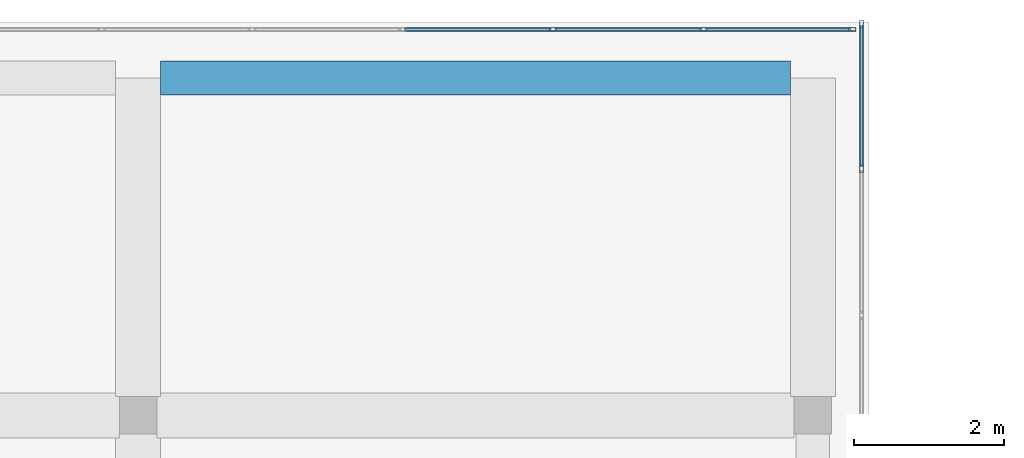
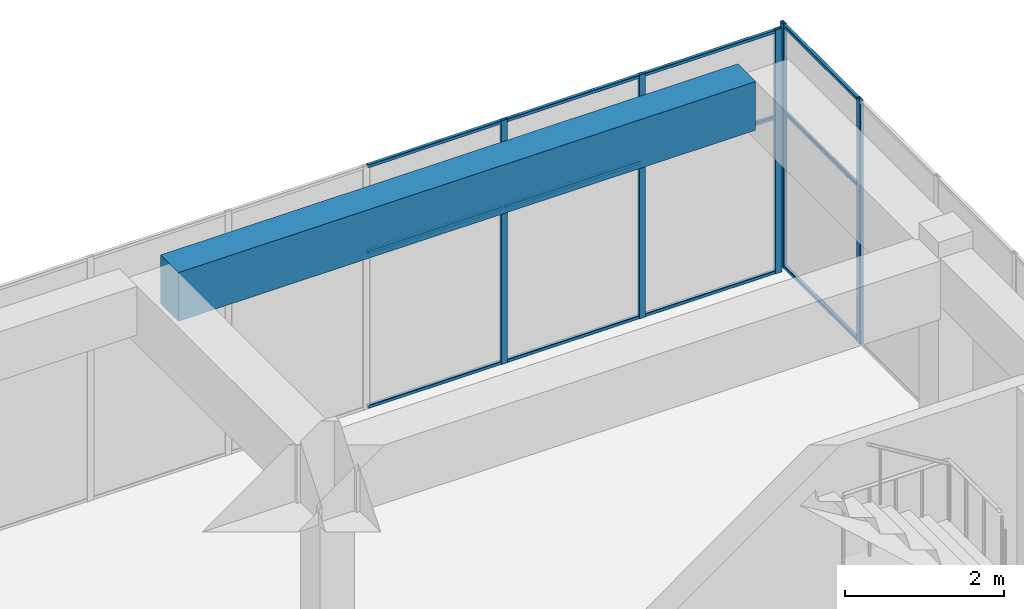
# One storey, part 27 of 34: 17 members, 1 beam, 2 elements without a shape of their own.
"""IFC4 building model written with IfcOpenShell, lengths in metres."""

from ifc_helpers import new_model, si_unit, direction, frame, origin, origin_2d, place, context, subcontext, project, spatial, rectangle, hollow_rectangle, extrude, material, layer, layer_set, material_profile, profile_set, type_object, element, aggregate, save


model = new_model("IFC4")

# Units and contexts
model_context = context("Model", 3, precision=1e-05, world=origin(), true_north=direction((0.0, 1.0)))
body_context = subcontext(model_context, "Body", "Model", "MODEL_VIEW")
ifc_project = project(units=[si_unit("LENGTHUNIT", "METRE"), si_unit("AREAUNIT", "SQUARE_METRE"), si_unit("VOLUMEUNIT", "CUBIC_METRE"), si_unit("PLANEANGLEUNIT", "RADIAN"), si_unit("MASSUNIT", "GRAM", prefix="KILO")], contexts=[model_context])

# Site, building, storey
site_placement = place(None, origin())
site = spatial("IfcSite", under=ifc_project, at=site_placement, CompositionType="ELEMENT")
building_placement = place(site_placement, origin())
building = spatial("IfcBuilding", under=site, at=building_placement, Name="Tuart Plaza Theatre", CompositionType="ELEMENT")
storey_placement = place(building_placement, frame((0.0, 0.0, 53.5)))
storey = spatial("IfcBuildingStorey", under=building, at=storey_placement, Name="L13", CompositionType="ELEMENT", Elevation=53.5)

# Beam
ifc_material_1 = material(Name="Concrete N40 (40 MPa)", Category="concrete")
ifc_material_profile_1 = material_profile(ifc_material_1, rectangle(XDim=0.449951171875, YDim=0.75, at=origin_2d()), Name="BEAM 450x750 Concrete N40 (40 MPa)")
ifc_profile_set_1 = profile_set([ifc_material_profile_1], Name="Concrete N40 (40 MPa)")
beam_type = type_object("IfcBeamType", Name="BEAM 450x750 Concrete N40 (40 MPa)", PredefinedType="BEAM", material=ifc_profile_set_1)
beam_placement = place(storey_placement, frame((132.300048828125, 96.5, 3.375), z_axis=(1.0, 0.0, 0.0), x_axis=(0.0, 1.0, 0.0)))
element("IfcBeam", 1, at=beam_placement, inside=storey, type_object=beam_type, Name="RB338", PredefinedType="BEAM", context=body_context, shape_type="SweptSolid", body=[
    extrude(rectangle(XDim=0.449951171875, YDim=0.75, at=origin_2d()), origin(), (0.0, 0.0, 1.0), 8.39990234375),
])

# Curtain wall, members
ifc_material_2 = material(Name="Aluminium and glass", Category="aluminium")
ifc_layer = layer(ifc_material_2, 0.10009765625)
ifc_layer_set = layer_set([ifc_layer], Name="CURTAIN WALL 2000 module")
curtain_wall_type = type_object("IfcCurtainWallType", Name="CURTAIN WALL 2000 module", PredefinedType="NOTDEFINED", material=ifc_layer_set)
curtain_wall_1_placement = place(storey_placement, origin())
curtain_wall_1 = element("IfcCurtainWall", 2, at=curtain_wall_1_placement, inside=storey, type_object=curtain_wall_type, Name="CW116", PredefinedType="NOTDEFINED")
ifc_material_3 = material(Name="Aluminium 6063-T5", Category="aluminium")
ifc_material_profile_2 = material_profile(ifc_material_3, hollow_rectangle(XDim=0.050048828125, YDim=0.10009765625, WallThickness=0.00390625, InnerFilletRadius=0.00390625, OuterFilletRadius=0.008056640625, at=origin_2d()), Name="RHS 100x50x4")
ifc_profile_set_2 = profile_set([ifc_material_profile_2], Name="Aluminium 6063-T5")
member_type_1 = type_object("IfcMemberType", Name="MULLION RHS 100x50x4", PredefinedType="MULLION", material=ifc_profile_set_2)
member_1_placement = place(storey_placement, frame((141.64990234375, 95.29296875, 0.0), z_axis=(0.0, 0.0, 1.0), x_axis=(-1.0, 0.0, 0.0)))
member_1 = element("IfcMember", 3, at=member_1_placement, type_object=member_type_1, Name="CW116 mullion 7", PredefinedType="MULLION", context=body_context, shape_type="SweptSolid", body=[
    extrude(hollow_rectangle(XDim=0.050048828125, YDim=0.10009765625, WallThickness=0.00390625, InnerFilletRadius=0.00390625, OuterFilletRadius=0.008056640625, at=origin_2d()), origin(), (0.0, 0.0, 1.0), 3.75),
])
member_2_placement = place(storey_placement, frame((141.64990234375, 97.22509765625, 0.0), z_axis=(0.0, 0.0, 1.0), x_axis=(-1.0, 0.0, 0.0)))
member_2 = element("IfcMember", 4, at=member_2_placement, type_object=member_type_1, Name="CW116 mullion 8", PredefinedType="MULLION", context=body_context, shape_type="SweptSolid", body=[
    extrude(hollow_rectangle(XDim=0.050048828125, YDim=0.10009765625, WallThickness=0.00390625, InnerFilletRadius=0.00390625, OuterFilletRadius=0.008056640625, at=origin_2d()), origin(), (0.0, 0.0, 1.0), 3.75),
])

curtain_wall_2_placement = place(storey_placement, origin())
curtain_wall_2 = element("IfcCurtainWall", 5, at=curtain_wall_2_placement, inside=storey, type_object=curtain_wall_type, Name="CW117", PredefinedType="NOTDEFINED")
member_3_placement = place(storey_placement, frame((141.52490234375, 97.14990234375, 0.0), z_axis=(0.0, 0.0, 1.0), x_axis=(0.0, -1.0, 0.0)))
member_3 = element("IfcMember", 6, at=member_3_placement, type_object=member_type_1, Name="CW117 mullion 1", PredefinedType="MULLION", context=body_context, shape_type="SweptSolid", body=[
    extrude(hollow_rectangle(XDim=0.050048828125, YDim=0.10009765625, WallThickness=0.00390625, InnerFilletRadius=0.00390625, OuterFilletRadius=0.008056640625, at=origin_2d()), origin(), (0.0, 0.0, 1.0), 3.75),
])
member_4_placement = place(storey_placement, frame((139.54296875, 97.14990234375, 0.0), z_axis=(0.0, 0.0, 1.0), x_axis=(0.0, -1.0, 0.0)))
member_4 = element("IfcMember", 7, at=member_4_placement, type_object=member_type_1, Name="CW117 mullion 2", PredefinedType="MULLION", context=body_context, shape_type="SweptSolid", body=[
    extrude(hollow_rectangle(XDim=0.050048828125, YDim=0.10009765625, WallThickness=0.00390625, InnerFilletRadius=0.00390625, OuterFilletRadius=0.008056640625, at=origin_2d()), origin(), (0.0, 0.0, 1.0), 3.75),
])
member_5_placement = place(storey_placement, frame((137.53564453125, 97.14990234375, 0.0), z_axis=(0.0, 0.0, 1.0), x_axis=(0.0, -1.0, 0.0)))
member_5 = element("IfcMember", 8, at=member_5_placement, type_object=member_type_1, Name="CW117 mullion 3", PredefinedType="MULLION", context=body_context, shape_type="SweptSolid", body=[
    extrude(hollow_rectangle(XDim=0.050048828125, YDim=0.10009765625, WallThickness=0.00390625, InnerFilletRadius=0.00390625, OuterFilletRadius=0.008056640625, at=origin_2d()), origin(), (0.0, 0.0, 1.0), 3.75),
])

# Member
ifc_material_4 = material(Name="Aluminium 6063-T5", Category="aluminium")
ifc_material_profile_3 = material_profile(ifc_material_4, hollow_rectangle(XDim=0.050048828125, YDim=0.050048828125, WallThickness=0.00390625, InnerFilletRadius=0.00390625, OuterFilletRadius=0.008056640625, at=origin_2d()), Name="RHS 50x50x4")
ifc_profile_set_3 = profile_set([ifc_material_profile_3], Name="Aluminium 6063-T5")
member_type_2 = type_object("IfcMemberType", Name="TRANSOM RHS 50x50x4", PredefinedType="USERDEFINED", material=ifc_profile_set_3)
member_6_placement = place(storey_placement, frame((141.64990234375, 95.31787109375, 0.02490234375), z_axis=(0.0, 1.0, 0.0), x_axis=(-1.0, 0.0, 0.0)))
member_6 = element("IfcMember", 9, at=member_6_placement, type_object=member_type_2, Name="CW116 transom 7.1", ObjectType="TRANSOM", PredefinedType="USERDEFINED", context=body_context, shape_type="SweptSolid", body=[
    extrude(hollow_rectangle(XDim=0.050048828125, YDim=0.050048828125, WallThickness=0.00390625, InnerFilletRadius=0.00390625, OuterFilletRadius=0.008056640625, at=origin_2d()), origin(), (0.0, 0.0, 1.0), 1.882080078125),
])

member_7_placement = place(storey_placement, frame((141.64990234375, 95.31787109375, 2.39990234375), z_axis=(0.0, 1.0, 0.0), x_axis=(-1.0, 0.0, 0.0)))
member_7 = element("IfcMember", 10, at=member_7_placement, type_object=member_type_2, Name="CW116 transom 7.2", ObjectType="TRANSOM", PredefinedType="USERDEFINED", context=body_context, shape_type="SweptSolid", body=[
    extrude(hollow_rectangle(XDim=0.050048828125, YDim=0.050048828125, WallThickness=0.00390625, InnerFilletRadius=0.00390625, OuterFilletRadius=0.008056640625, at=origin_2d()), origin(), (0.0, 0.0, 1.0), 1.882080078125),
])

member_8_placement = place(storey_placement, frame((141.64990234375, 95.31787109375, 3.72509765625), z_axis=(0.0, 1.0, 0.0), x_axis=(-1.0, 0.0, 0.0)))
member_8 = element("IfcMember", 11, at=member_8_placement, type_object=member_type_2, Name="CW116 transom 7.3", ObjectType="TRANSOM", PredefinedType="USERDEFINED", context=body_context, shape_type="SweptSolid", body=[
    extrude(hollow_rectangle(XDim=0.050048828125, YDim=0.050048828125, WallThickness=0.00390625, InnerFilletRadius=0.00390625, OuterFilletRadius=0.008056640625, at=origin_2d()), origin(), (0.0, 0.0, 1.0), 1.882080078125),
])

aggregate(curtain_wall_1, [member_1, member_2, member_6, member_7, member_8])

member_9_placement = place(storey_placement, frame((141.5, 97.14990234375, 0.02490234375), z_axis=(-1.0, 0.0, 0.0), x_axis=(0.0, -1.0, 0.0)))
member_9 = element("IfcMember", 12, at=member_9_placement, type_object=member_type_2, Name="CW117 transom 1.1", ObjectType="TRANSOM", PredefinedType="USERDEFINED", context=body_context, shape_type="SweptSolid", body=[
    extrude(hollow_rectangle(XDim=0.050048828125, YDim=0.050048828125, WallThickness=0.00390625, InnerFilletRadius=0.00390625, OuterFilletRadius=0.008056640625, at=origin_2d()), origin(), (0.0, 0.0, 1.0), 1.93212890625),
])

member_10_placement = place(storey_placement, frame((141.5, 97.14990234375, 2.39990234375), z_axis=(-1.0, 0.0, 0.0), x_axis=(0.0, -1.0, 0.0)))
member_10 = element("IfcMember", 13, at=member_10_placement, type_object=member_type_2, Name="CW117 transom 1.2", ObjectType="TRANSOM", PredefinedType="USERDEFINED", context=body_context, shape_type="SweptSolid", body=[
    extrude(hollow_rectangle(XDim=0.050048828125, YDim=0.050048828125, WallThickness=0.00390625, InnerFilletRadius=0.00390625, OuterFilletRadius=0.008056640625, at=origin_2d()), origin(), (0.0, 0.0, 1.0), 1.93212890625),
])

member_11_placement = place(storey_placement, frame((141.5, 97.14990234375, 3.72509765625), z_axis=(-1.0, 0.0, 0.0), x_axis=(0.0, -1.0, 0.0)))
member_11 = element("IfcMember", 14, at=member_11_placement, type_object=member_type_2, Name="CW117 transom 1.3", ObjectType="TRANSOM", PredefinedType="USERDEFINED", context=body_context, shape_type="SweptSolid", body=[
    extrude(hollow_rectangle(XDim=0.050048828125, YDim=0.050048828125, WallThickness=0.00390625, InnerFilletRadius=0.00390625, OuterFilletRadius=0.008056640625, at=origin_2d()), origin(), (0.0, 0.0, 1.0), 1.93212890625),
])

member_12_placement = place(storey_placement, frame((139.517822265625, 97.14990234375, 0.02490234375), z_axis=(-1.0, 0.0, 0.0), x_axis=(0.0, -1.0, 0.0)))
member_12 = element("IfcMember", 15, at=member_12_placement, type_object=member_type_2, Name="CW117 transom 2.1", ObjectType="TRANSOM", PredefinedType="USERDEFINED", context=body_context, shape_type="SweptSolid", body=[
    extrude(hollow_rectangle(XDim=0.050048828125, YDim=0.050048828125, WallThickness=0.00390625, InnerFilletRadius=0.00390625, OuterFilletRadius=0.008056640625, at=origin_2d()), origin(), (0.0, 0.0, 1.0), 1.95703125),
])

member_13_placement = place(storey_placement, frame((139.517822265625, 97.14990234375, 2.39990234375), z_axis=(-1.0, 0.0, 0.0), x_axis=(0.0, -1.0, 0.0)))
member_13 = element("IfcMember", 16, at=member_13_placement, type_object=member_type_2, Name="CW117 transom 2.2", ObjectType="TRANSOM", PredefinedType="USERDEFINED", context=body_context, shape_type="SweptSolid", body=[
    extrude(hollow_rectangle(XDim=0.050048828125, YDim=0.050048828125, WallThickness=0.00390625, InnerFilletRadius=0.00390625, OuterFilletRadius=0.008056640625, at=origin_2d()), origin(), (0.0, 0.0, 1.0), 1.95703125),
])

member_14_placement = place(storey_placement, frame((139.517822265625, 97.14990234375, 3.72509765625), z_axis=(-1.0, 0.0, 0.0), x_axis=(0.0, -1.0, 0.0)))
member_14 = element("IfcMember", 17, at=member_14_placement, type_object=member_type_2, Name="CW117 transom 2.3", ObjectType="TRANSOM", PredefinedType="USERDEFINED", context=body_context, shape_type="SweptSolid", body=[
    extrude(hollow_rectangle(XDim=0.050048828125, YDim=0.050048828125, WallThickness=0.00390625, InnerFilletRadius=0.00390625, OuterFilletRadius=0.008056640625, at=origin_2d()), origin(), (0.0, 0.0, 1.0), 1.95703125),
])

member_15_placement = place(storey_placement, frame((137.5107421875, 97.14990234375, 0.02490234375), z_axis=(-1.0, 0.0, 0.0), x_axis=(0.0, -1.0, 0.0)))
member_15 = element("IfcMember", 18, at=member_15_placement, type_object=member_type_2, Name="CW117 transom 3.1", ObjectType="TRANSOM", PredefinedType="USERDEFINED", context=body_context, shape_type="SweptSolid", body=[
    extrude(hollow_rectangle(XDim=0.050048828125, YDim=0.050048828125, WallThickness=0.00390625, InnerFilletRadius=0.00390625, OuterFilletRadius=0.008056640625, at=origin_2d()), origin(), (0.0, 0.0, 1.0), 1.957275390625),
])

member_16_placement = place(storey_placement, frame((137.5107421875, 97.14990234375, 2.39990234375), z_axis=(-1.0, 0.0, 0.0), x_axis=(0.0, -1.0, 0.0)))
member_16 = element("IfcMember", 19, at=member_16_placement, type_object=member_type_2, Name="CW117 transom 3.2", ObjectType="TRANSOM", PredefinedType="USERDEFINED", context=body_context, shape_type="SweptSolid", body=[
    extrude(hollow_rectangle(XDim=0.050048828125, YDim=0.050048828125, WallThickness=0.00390625, InnerFilletRadius=0.00390625, OuterFilletRadius=0.008056640625, at=origin_2d()), origin(), (0.0, 0.0, 1.0), 1.957275390625),
])

member_17_placement = place(storey_placement, frame((137.5107421875, 97.14990234375, 3.72509765625), z_axis=(-1.0, 0.0, 0.0), x_axis=(0.0, -1.0, 0.0)))
member_17 = element("IfcMember", 20, at=member_17_placement, type_object=member_type_2, Name="CW117 transom 3.3", ObjectType="TRANSOM", PredefinedType="USERDEFINED", context=body_context, shape_type="SweptSolid", body=[
    extrude(hollow_rectangle(XDim=0.050048828125, YDim=0.050048828125, WallThickness=0.00390625, InnerFilletRadius=0.00390625, OuterFilletRadius=0.008056640625, at=origin_2d()), origin(), (0.0, 0.0, 1.0), 1.957275390625),
])

aggregate(curtain_wall_2, [member_3, member_4, member_5, member_9, member_10, member_11, member_12, member_13, member_14, member_15, member_16, member_17])

save(model, "model.ifc")
